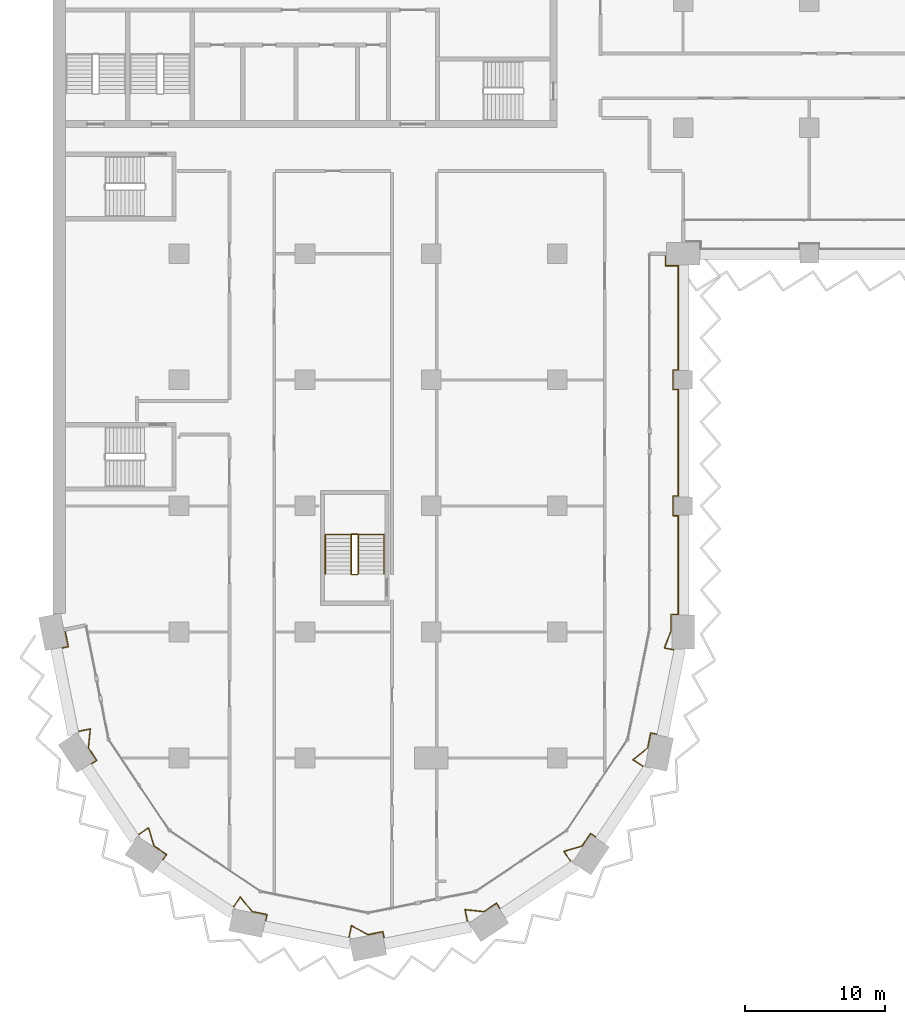
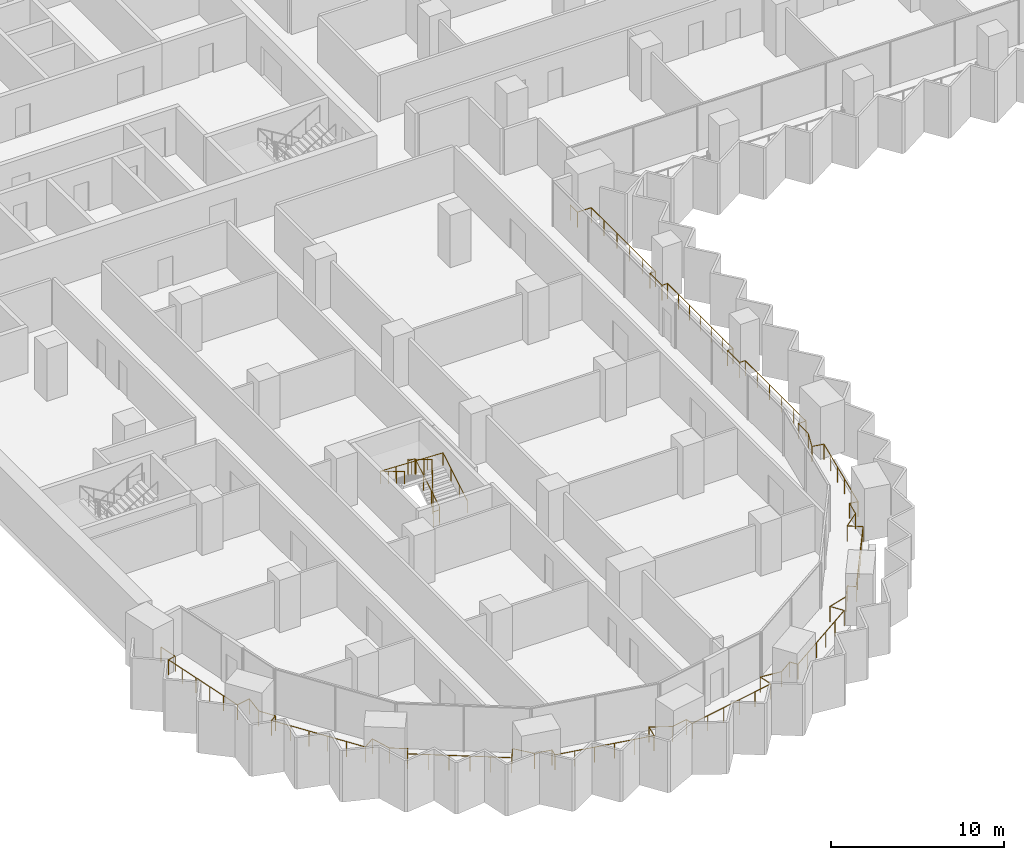
# One storey, part 24 of 28: 3 railings.
"""IFC4 building model written with IfcOpenShell, lengths in metres."""

from ifc_helpers import new_model, si_unit, direction, frame, origin, origin_2d, place, context, subcontext, project, spatial, circle, extrude, material, type_object, element, save


model = new_model("IFC4")

# Units and contexts
model_context = context("Model", 3, precision=1e-05, world=origin(), true_north=direction((0.0, 1.0)))
body_context = subcontext(model_context, "Body", "Model", "MODEL_VIEW")
ifc_project = project(units=[si_unit("LENGTHUNIT", "METRE"), si_unit("AREAUNIT", "SQUARE_METRE"), si_unit("VOLUMEUNIT", "CUBIC_METRE"), si_unit("PLANEANGLEUNIT", "RADIAN"), si_unit("MASSUNIT", "GRAM", prefix="KILO")], contexts=[model_context])

# Site, building, storey
site_placement = place(None, origin())
site = spatial("IfcSite", under=ifc_project, at=site_placement, CompositionType="ELEMENT")
building_placement = place(site_placement, origin())
building = spatial("IfcBuilding", under=site, at=building_placement, Name="Hunhe Ridgeline Campus", CompositionType="ELEMENT")
storey_placement = place(building_placement, frame((0.0, 0.0, 76.5)))
storey = spatial("IfcBuildingStorey", under=building, at=storey_placement, Name="L18", CompositionType="ELEMENT", Elevation=76.5)

# Railings
ifc_material_1 = material(Name="Steel Q355", Category="steel")
railing_type_1 = type_object("IfcRailingType", Name="Loggia guard 1100 Steel Q355", PredefinedType="GUARDRAIL", material=ifc_material_1)
railing_1_placement = place(storey_placement, frame((0.853271484375, 27.169677734375, 0.0)))
element("IfcRailing", 1, at=railing_1_placement, inside=storey, type_object=railing_type_1, Name="Loggia guard 1", PredefinedType="GUARDRAIL", context=body_context, shape_type="SweptSolid", body=[
    extrude(circle(Radius=0.02392578125, at=origin_2d()), frame((0.0, 0.0, 1.076171875), z_axis=(0.195139364365, -0.980775523999, 0.0), x_axis=(0.980775523999, 0.195139364365, 0.0)), (0.0, 0.0, 1.0), 1.249755859375),
    extrude(circle(Radius=0.02392578125, at=origin_2d()), frame((0.243896484375, -1.225830078125, 1.076171875), z_axis=(-0.980742851189, -0.195303506986, 0.0), x_axis=(0.195303506986, -0.980742851189, 0.0)), (0.0, 0.0, 1.0), 0.52001953125),
    extrude(circle(Radius=0.02392578125, at=origin_2d()), frame((-0.26611328125, -1.327392578125, 1.076171875), z_axis=(0.195094074844, -0.980784533912, 0.0), x_axis=(0.980784533912, 0.195094074844, 0.0)), (0.0, 0.0, 1.0), 6.064208984375),
    extrude(circle(Radius=0.02392578125, at=origin_2d()), frame((0.9169921875, -7.275146484375, 1.076171875), z_axis=(0.980774480174, 0.195144610585, 0.0), x_axis=(-0.195144610585, 0.980774480174, 0.0)), (0.0, 0.0, 1.0), 0.918212890625),
    extrude(circle(Radius=0.02392578125, at=origin_2d()), frame((1.817626953125, -7.095947265625, 1.076171875), z_axis=(-0.102578746514, -0.994724886973, 0.0), x_axis=(0.994724886973, -0.102578746514, 0.0)), (0.0, 0.0, 1.0), 1.351806640625),
    extrude(circle(Radius=0.02392578125, at=origin_2d()), frame((1.678955078125, -8.440673828125, 1.076171875), z_axis=(0.555693885997, -0.831386976724, 0.0), x_axis=(0.831386976724, 0.555693885997, 0.0)), (0.0, 0.0, 1.0), 1.076904296875),
    extrude(circle(Radius=0.02392578125, at=origin_2d()), frame((2.27734375, -9.3359375, 1.076171875), z_axis=(-0.831327417949, -0.555782982977, 0.0), x_axis=(0.555782982977, -0.831327417949, 0.0)), (0.0, 0.0, 1.0), 0.52001953125),
    extrude(circle(Radius=0.02392578125, at=origin_2d()), frame((1.844970703125, -9.625, 1.076171875), z_axis=(0.55557319973, -0.831467630002, 0.0), x_axis=(0.831467630002, 0.55557319973, 0.0)), (0.0, 0.0, 1.0), 6.064208984375),
    extrude(circle(Radius=0.02392578125, at=origin_2d()), frame((5.214111328125, -14.667236328125, 1.076171875), z_axis=(0.831395250422, 0.555681507318, 0.0), x_axis=(-0.555681507318, 0.831395250422, 0.0)), (0.0, 0.0, 1.0), 0.918212890625),
    extrude(circle(Radius=0.02392578125, at=origin_2d()), frame((5.9775390625, -14.156982421875, 1.076171875), z_axis=(0.285889499126, -0.958262591511, 0.0), x_axis=(0.958262591511, 0.285889499126, 0.0)), (0.0, 0.0, 1.0), 1.351806640625),
    extrude(circle(Radius=0.02392578125, at=origin_2d()), frame((6.364013671875, -15.452392578125, 1.076171875), z_axis=(0.831456967492, -0.555589156849, 0.0), x_axis=(0.555589156849, 0.831456967492, 0.0)), (0.0, 0.0, 1.0), 1.0771484375),
    extrude(circle(Radius=0.02392578125, at=origin_2d()), frame((7.259521484375, -16.05078125, 1.076171875), z_axis=(-0.555675381322, -0.831399344835, 0.0), x_axis=(0.831399344835, -0.555675381322, 0.0)), (0.0, 0.0, 1.0), 0.519775390625),
    extrude(circle(Radius=0.02392578125, at=origin_2d()), frame((6.970703125, -16.48291015625, 1.076171875), z_axis=(0.831467630002, -0.55557319973, 0.0), x_axis=(0.55557319973, 0.831467630002, 0.0)), (0.0, 0.0, 1.0), 6.064208984375),
    extrude(circle(Radius=0.02392578125, at=origin_2d()), frame((12.012939453125, -19.85205078125, 1.076171875), z_axis=(0.555497688072, 0.831518080709, 0.0), x_axis=(-0.831518080709, 0.555497688072, 0.0)), (0.0, 0.0, 1.0), 0.918212890625),
    extrude(circle(Radius=0.02392578125, at=origin_2d()), frame((12.52294921875, -19.088623046875, 1.076171875), z_axis=(0.630864561128, -0.775892972976, 0.0), x_axis=(0.775892972976, 0.630864561128, 0.0)), (0.0, 0.0, 1.0), 1.351806640625),
    extrude(circle(Radius=0.02392578125, at=origin_2d()), frame((13.375732421875, -20.137451171875, 1.076171875), z_axis=(0.980771998786, -0.195157081339, 0.0), x_axis=(0.195157081339, 0.980771998786, 0.0)), (0.0, 0.0, 1.0), 1.0771484375),
    extrude(circle(Radius=0.02392578125, at=origin_2d()), frame((14.43212890625, -20.34765625, 1.076171875), z_axis=(-0.195303506986, -0.980742851189, 0.0), x_axis=(0.980742851189, -0.195303506986, 0.0)), (0.0, 0.0, 1.0), 0.52001953125),
    extrude(circle(Radius=0.02392578125, at=origin_2d()), frame((14.33056640625, -20.857666015625, 1.076171875), z_axis=(0.980792236535, -0.195055347919, 0.0), x_axis=(0.195055347919, 0.980792236535, 0.0)), (0.0, 0.0, 1.0), 6.064208984375),
    extrude(circle(Radius=0.02392578125, at=origin_2d()), frame((20.2783203125, -22.04052734375, 1.076171875), z_axis=(0.195144610585, 0.980774480174, 0.0), x_axis=(-0.980774480174, 0.195144610585, 0.0)), (0.0, 0.0, 1.0), 0.918212890625),
    extrude(circle(Radius=0.02392578125, at=origin_2d()), frame((20.45751953125, -21.139892578125, 1.076171875), z_axis=(0.879704471732, -0.475520811757, 0.0), x_axis=(0.475520811757, 0.879704471732, 0.0)), (0.0, 0.0, 1.0), 1.351806640625),
    extrude(circle(Radius=0.02392578125, at=origin_2d()), frame((21.646728515625, -21.78271484375, 1.076171875), z_axis=(0.980763363144, 0.195200475189, 0.0), x_axis=(-0.195200475189, 0.980763363144, 0.0)), (0.0, 0.0, 1.0), 1.076904296875),
    extrude(circle(Radius=0.02392578125, at=origin_2d()), frame((22.702880859375, -21.572509765625, 1.076171875), z_axis=(0.195303506986, -0.980742851189, 0.0), x_axis=(0.980742851189, 0.195303506986, 0.0)), (0.0, 0.0, 1.0), 0.52001953125),
    extrude(circle(Radius=0.02392578125, at=origin_2d()), frame((22.804443359375, -22.08251953125, 1.076171875), z_axis=(0.980784533912, 0.195094074844, 0.0), x_axis=(-0.195094074844, 0.980784533912, 0.0)), (0.0, 0.0, 1.0), 6.064208984375),
    extrude(circle(Radius=0.02392578125, at=origin_2d()), frame((28.752197265625, -20.8994140625, 1.076171875), z_axis=(-0.195144610585, 0.980774480174, 0.0), x_axis=(-0.980774480174, -0.195144610585, 0.0)), (0.0, 0.0, 1.0), 0.918212890625),
    extrude(circle(Radius=0.02392578125, at=origin_2d()), frame((28.572998046875, -19.998779296875, 1.076171875), z_axis=(0.994724886973, -0.102578746514, 0.0), x_axis=(0.102578746514, 0.994724886973, 0.0)), (0.0, 0.0, 1.0), 1.351806640625),
    extrude(circle(Radius=0.02392578125, at=origin_2d()), frame((29.917724609375, -20.137451171875, 1.076171875), z_axis=(0.831386976724, 0.555693885997, 0.0), x_axis=(-0.555693885997, 0.831386976724, 0.0)), (0.0, 0.0, 1.0), 1.076904296875),
    extrude(circle(Radius=0.02392578125, at=origin_2d()), frame((30.81298828125, -19.5390625, 1.076171875), z_axis=(0.555782982977, -0.831327417949, 0.0), x_axis=(0.831327417949, 0.555782982977, 0.0)), (0.0, 0.0, 1.0), 0.52001953125),
    extrude(circle(Radius=0.02392578125, at=origin_2d()), frame((31.10205078125, -19.971435546875, 1.076171875), z_axis=(0.831467630002, 0.55557319973, 0.0), x_axis=(-0.55557319973, 0.831467630002, 0.0)), (0.0, 0.0, 1.0), 6.064208984375),
    extrude(circle(Radius=0.02392578125, at=origin_2d()), frame((36.144287109375, -16.602294921875, 1.076171875), z_axis=(-0.555681507318, 0.831395250422, 0.0), x_axis=(-0.831395250422, -0.555681507318, 0.0)), (0.0, 0.0, 1.0), 0.918212890625),
    extrude(circle(Radius=0.02392578125, at=origin_2d()), frame((35.634033203125, -15.8388671875, 1.076171875), z_axis=(0.958262591511, 0.285889499126, 0.0), x_axis=(-0.285889499126, 0.958262591511, 0.0)), (0.0, 0.0, 1.0), 1.351806640625),
    extrude(circle(Radius=0.02392578125, at=origin_2d()), frame((36.929443359375, -15.452392578125, 1.076171875), z_axis=(0.555589156849, 0.831456967492, 0.0), x_axis=(-0.831456967492, 0.555589156849, 0.0)), (0.0, 0.0, 1.0), 1.0771484375),
    extrude(circle(Radius=0.02392578125, at=origin_2d()), frame((37.52783203125, -14.556884765625, 1.076171875), z_axis=(0.831399344835, -0.555675381322, 0.0), x_axis=(0.555675381322, 0.831399344835, 0.0)), (0.0, 0.0, 1.0), 0.519775390625),
    extrude(circle(Radius=0.02392578125, at=origin_2d()), frame((37.9599609375, -14.845703125, 1.076171875), z_axis=(0.55557319973, 0.831467630002, 0.0), x_axis=(-0.831467630002, 0.55557319973, 0.0)), (0.0, 0.0, 1.0), 6.064208984375),
    extrude(circle(Radius=0.02392578125, at=origin_2d()), frame((41.3291015625, -9.803466796875, 1.076171875), z_axis=(-0.831518080709, 0.555497688072, 0.0), x_axis=(-0.555497688072, -0.831518080709, 0.0)), (0.0, 0.0, 1.0), 0.918212890625),
    extrude(circle(Radius=0.02392578125, at=origin_2d()), frame((40.565673828125, -9.29345703125, 1.076171875), z_axis=(0.775892972976, 0.630864561128, 0.0), x_axis=(-0.630864561128, 0.775892972976, 0.0)), (0.0, 0.0, 1.0), 1.351806640625),
    extrude(circle(Radius=0.02392578125, at=origin_2d()), frame((41.614501953125, -8.440673828125, 1.076171875), z_axis=(0.195157081339, 0.980771998786, 0.0), x_axis=(-0.980771998786, 0.195157081339, 0.0)), (0.0, 0.0, 1.0), 1.0771484375),
    extrude(circle(Radius=0.02392578125, at=origin_2d()), frame((41.82470703125, -7.38427734375, 1.076171875), z_axis=(0.980742851189, -0.195303506986, 0.0), x_axis=(0.195303506986, 0.980742851189, 0.0)), (0.0, 0.0, 1.0), 0.52001953125),
    extrude(circle(Radius=0.02392578125, at=origin_2d()), frame((42.334716796875, -7.48583984375, 1.076171875), z_axis=(0.19507712928, 0.980787904509, 0.0), x_axis=(-0.980787904509, 0.19507712928, 0.0)), (0.0, 0.0, 1.0), 6.146240234375),
    extrude(circle(Radius=0.02392578125, at=origin_2d()), frame((43.53369140625, -1.457763671875, 1.076171875), z_axis=(-0.980808789294, 0.194972097602, 0.0), x_axis=(-0.194972097602, -0.980808789294, 0.0)), (0.0, 0.0, 1.0), 0.73876953125),
    extrude(circle(Radius=0.02392578125, at=origin_2d()), frame((42.80908203125, -1.313720703125, 1.076171875), z_axis=(0.35537018301, 0.93472564586, 0.0), x_axis=(-0.93472564586, 0.35537018301, 0.0)), (0.0, 0.0, 1.0), 1.315673828125),
    extrude(circle(Radius=0.02392578125, at=origin_2d()), frame((43.276611328125, -0.083984375, 1.076171875), z_axis=(0.0, 1.0, 0.0), x_axis=(-1.0, 0.0, 0.0)), (0.0, 0.0, 1.0), 1.164306640625),
    extrude(circle(Radius=0.02392578125, at=origin_2d()), frame((43.276611328125, 1.080322265625, 1.076171875), z_axis=(1.0, 0.0, 0.0), x_axis=(0.0, 1.0, 0.0)), (0.0, 0.0, 1.0), 0.52001953125),
    extrude(circle(Radius=0.02392578125, at=origin_2d()), frame((43.796630859375, 1.080322265625, 1.076171875), z_axis=(0.0, 1.0, 0.0), x_axis=(-1.0, 0.0, 0.0)), (0.0, 0.0, 1.0), 7.050048828125),
    extrude(circle(Radius=0.02392578125, at=origin_2d()), frame((43.796630859375, 8.13037109375, 1.076171875), z_axis=(-1.0, 0.0, 0.0), x_axis=(0.0, -1.0, 0.0)), (0.0, 0.0, 1.0), 0.369873046875),
    extrude(circle(Radius=0.02392578125, at=origin_2d()), frame((43.4267578125, 8.13037109375, 1.076171875), z_axis=(0.0, 1.0, 0.0), x_axis=(-1.0, 0.0, 0.0)), (0.0, 0.0, 1.0), 1.39990234375),
    extrude(circle(Radius=0.02392578125, at=origin_2d()), frame((43.4267578125, 9.5302734375, 1.076171875), z_axis=(1.0, 0.0, 0.0), x_axis=(0.0, 1.0, 0.0)), (0.0, 0.0, 1.0), 0.369873046875),
    extrude(circle(Radius=0.02392578125, at=origin_2d()), frame((43.796630859375, 9.5302734375, 1.076171875), z_axis=(0.0, 1.0, 0.0), x_axis=(-1.0, 0.0, 0.0)), (0.0, 0.0, 1.0), 7.60009765625),
    extrude(circle(Radius=0.02392578125, at=origin_2d()), frame((43.796630859375, 17.13037109375, 1.076171875), z_axis=(-1.0, 0.0, 0.0), x_axis=(0.0, -1.0, 0.0)), (0.0, 0.0, 1.0), 0.369873046875),
    extrude(circle(Radius=0.02392578125, at=origin_2d()), frame((43.4267578125, 17.13037109375, 1.076171875), z_axis=(0.0, 1.0, 0.0), x_axis=(-1.0, 0.0, 0.0)), (0.0, 0.0, 1.0), 1.39990234375),
    extrude(circle(Radius=0.02392578125, at=origin_2d()), frame((43.4267578125, 18.5302734375, 1.076171875), z_axis=(1.0, 0.0, 0.0), x_axis=(0.0, 1.0, 0.0)), (0.0, 0.0, 1.0), 0.369873046875),
    extrude(circle(Radius=0.02392578125, at=origin_2d()), frame((43.796630859375, 18.5302734375, 1.076171875), z_axis=(0.0, 1.0, 0.0), x_axis=(-1.0, 0.0, 0.0)), (0.0, 0.0, 1.0), 7.449951171875),
    extrude(circle(Radius=0.02392578125, at=origin_2d()), frame((43.796630859375, 25.980224609375, 1.076171875), z_axis=(-1.0, 0.0, 0.0), x_axis=(0.0, -1.0, 0.0)), (0.0, 0.0, 1.0), 0.919921875),
    extrude(circle(Radius=0.02392578125, at=origin_2d()), frame((42.876708984375, 25.980224609375, 1.076171875), z_axis=(0.0, 1.0, 0.0), x_axis=(-1.0, 0.0, 0.0)), (0.0, 0.0, 1.0), 0.85009765625),
    extrude(circle(Radius=0.02099609375, at=origin_2d()), origin(), (0.0, 0.0, 1.0), 1.052001953125),
    extrude(circle(Radius=0.02099609375, at=origin_2d()), frame((0.243896484375, -1.225830078125, 0.0)), (0.0, 0.0, 1.0), 1.052001953125),
    extrude(circle(Radius=0.02099609375, at=origin_2d()), frame((-0.26611328125, -1.327392578125, 0.0)), (0.0, 0.0, 1.0), 1.052001953125),
    extrude(circle(Radius=0.02099609375, at=origin_2d()), frame((-0.029541015625, -2.516845703125, 0.0)), (0.0, 0.0, 1.0), 1.052001953125),
    extrude(circle(Radius=0.02099609375, at=origin_2d()), frame((0.20703125, -3.70654296875, 0.0)), (0.0, 0.0, 1.0), 1.052001953125),
    extrude(circle(Radius=0.02099609375, at=origin_2d()), frame((0.44384765625, -4.89599609375, 0.0)), (0.0, 0.0, 1.0), 1.052001953125),
    extrude(circle(Radius=0.02099609375, at=origin_2d()), frame((0.680419921875, -6.085693359375, 0.0)), (0.0, 0.0, 1.0), 1.052001953125),
    extrude(circle(Radius=0.02099609375, at=origin_2d()), frame((0.9169921875, -7.275146484375, 0.0)), (0.0, 0.0, 1.0), 1.052001953125),
    extrude(circle(Radius=0.02099609375, at=origin_2d()), frame((1.817626953125, -7.095947265625, 0.0)), (0.0, 0.0, 1.0), 1.052001953125),
    extrude(circle(Radius=0.02099609375, at=origin_2d()), frame((1.678955078125, -8.440673828125, 0.0)), (0.0, 0.0, 1.0), 1.052001953125),
    extrude(circle(Radius=0.02099609375, at=origin_2d()), frame((2.27734375, -9.3359375, 0.0)), (0.0, 0.0, 1.0), 1.052001953125),
    extrude(circle(Radius=0.02099609375, at=origin_2d()), frame((1.844970703125, -9.625, 0.0)), (0.0, 0.0, 1.0), 1.052001953125),
    extrude(circle(Radius=0.02099609375, at=origin_2d()), frame((2.518798828125, -10.633544921875, 0.0)), (0.0, 0.0, 1.0), 1.052001953125),
    extrude(circle(Radius=0.02099609375, at=origin_2d()), frame((3.192626953125, -11.641845703125, 0.0)), (0.0, 0.0, 1.0), 1.052001953125),
    extrude(circle(Radius=0.02099609375, at=origin_2d()), frame((3.866455078125, -12.650390625, 0.0)), (0.0, 0.0, 1.0), 1.052001953125),
    extrude(circle(Radius=0.02099609375, at=origin_2d()), frame((4.540283203125, -13.65869140625, 0.0)), (0.0, 0.0, 1.0), 1.052001953125),
    extrude(circle(Radius=0.02099609375, at=origin_2d()), frame((5.214111328125, -14.667236328125, 0.0)), (0.0, 0.0, 1.0), 1.052001953125),
    extrude(circle(Radius=0.02099609375, at=origin_2d()), frame((5.9775390625, -14.156982421875, 0.0)), (0.0, 0.0, 1.0), 1.052001953125),
    extrude(circle(Radius=0.02099609375, at=origin_2d()), frame((6.364013671875, -15.452392578125, 0.0)), (0.0, 0.0, 1.0), 1.052001953125),
    extrude(circle(Radius=0.02099609375, at=origin_2d()), frame((7.259521484375, -16.05078125, 0.0)), (0.0, 0.0, 1.0), 1.052001953125),
    extrude(circle(Radius=0.02099609375, at=origin_2d()), frame((6.970703125, -16.48291015625, 0.0)), (0.0, 0.0, 1.0), 1.052001953125),
    extrude(circle(Radius=0.02099609375, at=origin_2d()), frame((7.979248046875, -17.15673828125, 0.0)), (0.0, 0.0, 1.0), 1.052001953125),
    extrude(circle(Radius=0.02099609375, at=origin_2d()), frame((8.987548828125, -17.83056640625, 0.0)), (0.0, 0.0, 1.0), 1.052001953125),
    extrude(circle(Radius=0.02099609375, at=origin_2d()), frame((9.99609375, -18.50439453125, 0.0)), (0.0, 0.0, 1.0), 1.052001953125),
    extrude(circle(Radius=0.02099609375, at=origin_2d()), frame((11.00439453125, -19.17822265625, 0.0)), (0.0, 0.0, 1.0), 1.052001953125),
    extrude(circle(Radius=0.02099609375, at=origin_2d()), frame((12.012939453125, -19.85205078125, 0.0)), (0.0, 0.0, 1.0), 1.052001953125),
    extrude(circle(Radius=0.02099609375, at=origin_2d()), frame((12.52294921875, -19.088623046875, 0.0)), (0.0, 0.0, 1.0), 1.052001953125),
    extrude(circle(Radius=0.02099609375, at=origin_2d()), frame((13.375732421875, -20.137451171875, 0.0)), (0.0, 0.0, 1.0), 1.052001953125),
    extrude(circle(Radius=0.02099609375, at=origin_2d()), frame((14.43212890625, -20.34765625, 0.0)), (0.0, 0.0, 1.0), 1.052001953125),
    extrude(circle(Radius=0.02099609375, at=origin_2d()), frame((14.33056640625, -20.857666015625, 0.0)), (0.0, 0.0, 1.0), 1.052001953125),
    extrude(circle(Radius=0.02099609375, at=origin_2d()), frame((15.52001953125, -21.09423828125, 0.0)), (0.0, 0.0, 1.0), 1.052001953125),
    extrude(circle(Radius=0.02099609375, at=origin_2d()), frame((16.709716796875, -21.330810546875, 0.0)), (0.0, 0.0, 1.0), 1.052001953125),
    extrude(circle(Radius=0.02099609375, at=origin_2d()), frame((17.899169921875, -21.5673828125, 0.0)), (0.0, 0.0, 1.0), 1.052001953125),
    extrude(circle(Radius=0.02099609375, at=origin_2d()), frame((19.0888671875, -21.803955078125, 0.0)), (0.0, 0.0, 1.0), 1.052001953125),
    extrude(circle(Radius=0.02099609375, at=origin_2d()), frame((20.2783203125, -22.04052734375, 0.0)), (0.0, 0.0, 1.0), 1.052001953125),
    extrude(circle(Radius=0.02099609375, at=origin_2d()), frame((20.45751953125, -21.139892578125, 0.0)), (0.0, 0.0, 1.0), 1.052001953125),
    extrude(circle(Radius=0.02099609375, at=origin_2d()), frame((21.646728515625, -21.78271484375, 0.0)), (0.0, 0.0, 1.0), 1.052001953125),
    extrude(circle(Radius=0.02099609375, at=origin_2d()), frame((22.702880859375, -21.572509765625, 0.0)), (0.0, 0.0, 1.0), 1.052001953125),
    extrude(circle(Radius=0.02099609375, at=origin_2d()), frame((22.804443359375, -22.08251953125, 0.0)), (0.0, 0.0, 1.0), 1.052001953125),
    extrude(circle(Radius=0.02099609375, at=origin_2d()), frame((23.993896484375, -21.845947265625, 0.0)), (0.0, 0.0, 1.0), 1.052001953125),
    extrude(circle(Radius=0.02099609375, at=origin_2d()), frame((25.18359375, -21.609375, 0.0)), (0.0, 0.0, 1.0), 1.052001953125),
    extrude(circle(Radius=0.02099609375, at=origin_2d()), frame((26.373046875, -21.37255859375, 0.0)), (0.0, 0.0, 1.0), 1.052001953125),
    extrude(circle(Radius=0.02099609375, at=origin_2d()), frame((27.562744140625, -21.135986328125, 0.0)), (0.0, 0.0, 1.0), 1.052001953125),
    extrude(circle(Radius=0.02099609375, at=origin_2d()), frame((28.752197265625, -20.8994140625, 0.0)), (0.0, 0.0, 1.0), 1.052001953125),
    extrude(circle(Radius=0.02099609375, at=origin_2d()), frame((28.572998046875, -19.998779296875, 0.0)), (0.0, 0.0, 1.0), 1.052001953125),
    extrude(circle(Radius=0.02099609375, at=origin_2d()), frame((29.917724609375, -20.137451171875, 0.0)), (0.0, 0.0, 1.0), 1.052001953125),
    extrude(circle(Radius=0.02099609375, at=origin_2d()), frame((30.81298828125, -19.5390625, 0.0)), (0.0, 0.0, 1.0), 1.052001953125),
    extrude(circle(Radius=0.02099609375, at=origin_2d()), frame((31.10205078125, -19.971435546875, 0.0)), (0.0, 0.0, 1.0), 1.052001953125),
    extrude(circle(Radius=0.02099609375, at=origin_2d()), frame((32.110595703125, -19.297607421875, 0.0)), (0.0, 0.0, 1.0), 1.052001953125),
    extrude(circle(Radius=0.02099609375, at=origin_2d()), frame((33.118896484375, -18.623779296875, 0.0)), (0.0, 0.0, 1.0), 1.052001953125),
    extrude(circle(Radius=0.02099609375, at=origin_2d()), frame((34.12744140625, -17.949951171875, 0.0)), (0.0, 0.0, 1.0), 1.052001953125),
    extrude(circle(Radius=0.02099609375, at=origin_2d()), frame((35.1357421875, -17.276123046875, 0.0)), (0.0, 0.0, 1.0), 1.052001953125),
    extrude(circle(Radius=0.02099609375, at=origin_2d()), frame((36.144287109375, -16.602294921875, 0.0)), (0.0, 0.0, 1.0), 1.052001953125),
    extrude(circle(Radius=0.02099609375, at=origin_2d()), frame((35.634033203125, -15.8388671875, 0.0)), (0.0, 0.0, 1.0), 1.052001953125),
    extrude(circle(Radius=0.02099609375, at=origin_2d()), frame((36.929443359375, -15.452392578125, 0.0)), (0.0, 0.0, 1.0), 1.052001953125),
    extrude(circle(Radius=0.02099609375, at=origin_2d()), frame((37.52783203125, -14.556884765625, 0.0)), (0.0, 0.0, 1.0), 1.052001953125),
    extrude(circle(Radius=0.02099609375, at=origin_2d()), frame((37.9599609375, -14.845703125, 0.0)), (0.0, 0.0, 1.0), 1.052001953125),
    extrude(circle(Radius=0.02099609375, at=origin_2d()), frame((38.6337890625, -13.837158203125, 0.0)), (0.0, 0.0, 1.0), 1.052001953125),
    extrude(circle(Radius=0.02099609375, at=origin_2d()), frame((39.3076171875, -12.828857421875, 0.0)), (0.0, 0.0, 1.0), 1.052001953125),
    extrude(circle(Radius=0.02099609375, at=origin_2d()), frame((39.9814453125, -11.8203125, 0.0)), (0.0, 0.0, 1.0), 1.052001953125),
    extrude(circle(Radius=0.02099609375, at=origin_2d()), frame((40.6552734375, -10.81201171875, 0.0)), (0.0, 0.0, 1.0), 1.052001953125),
    extrude(circle(Radius=0.02099609375, at=origin_2d()), frame((41.3291015625, -9.803466796875, 0.0)), (0.0, 0.0, 1.0), 1.052001953125),
    extrude(circle(Radius=0.02099609375, at=origin_2d()), frame((40.565673828125, -9.29345703125, 0.0)), (0.0, 0.0, 1.0), 1.052001953125),
    extrude(circle(Radius=0.02099609375, at=origin_2d()), frame((41.614501953125, -8.440673828125, 0.0)), (0.0, 0.0, 1.0), 1.052001953125),
    extrude(circle(Radius=0.02099609375, at=origin_2d()), frame((41.82470703125, -7.38427734375, 0.0)), (0.0, 0.0, 1.0), 1.052001953125),
    extrude(circle(Radius=0.02099609375, at=origin_2d()), frame((42.334716796875, -7.48583984375, 0.0)), (0.0, 0.0, 1.0), 1.052001953125),
    extrude(circle(Radius=0.02099609375, at=origin_2d()), frame((42.574462890625, -6.2802734375, 0.0)), (0.0, 0.0, 1.0), 1.052001953125),
    extrude(circle(Radius=0.02099609375, at=origin_2d()), frame((42.814208984375, -5.07470703125, 0.0)), (0.0, 0.0, 1.0), 1.052001953125),
    extrude(circle(Radius=0.02099609375, at=origin_2d()), frame((43.05419921875, -3.868896484375, 0.0)), (0.0, 0.0, 1.0), 1.052001953125),
    extrude(circle(Radius=0.02099609375, at=origin_2d()), frame((43.2939453125, -2.663330078125, 0.0)), (0.0, 0.0, 1.0), 1.052001953125),
    extrude(circle(Radius=0.02099609375, at=origin_2d()), frame((43.53369140625, -1.457763671875, 0.0)), (0.0, 0.0, 1.0), 1.052001953125),
    extrude(circle(Radius=0.02099609375, at=origin_2d()), frame((42.80908203125, -1.313720703125, 0.0)), (0.0, 0.0, 1.0), 1.052001953125),
    extrude(circle(Radius=0.02099609375, at=origin_2d()), frame((43.276611328125, -0.083984375, 0.0)), (0.0, 0.0, 1.0), 1.052001953125),
    extrude(circle(Radius=0.02099609375, at=origin_2d()), frame((43.276611328125, 1.080322265625, 0.0)), (0.0, 0.0, 1.0), 1.052001953125),
    extrude(circle(Radius=0.02099609375, at=origin_2d()), frame((43.796630859375, 1.080322265625, 0.0)), (0.0, 0.0, 1.0), 1.052001953125),
    extrude(circle(Radius=0.02099609375, at=origin_2d()), frame((43.796630859375, 2.490234375, 0.0)), (0.0, 0.0, 1.0), 1.052001953125),
    extrude(circle(Radius=0.02099609375, at=origin_2d()), frame((43.796630859375, 3.900390625, 0.0)), (0.0, 0.0, 1.0), 1.052001953125),
    extrude(circle(Radius=0.02099609375, at=origin_2d()), frame((43.796630859375, 5.310302734375, 0.0)), (0.0, 0.0, 1.0), 1.052001953125),
    extrude(circle(Radius=0.02099609375, at=origin_2d()), frame((43.796630859375, 6.720458984375, 0.0)), (0.0, 0.0, 1.0), 1.052001953125),
    extrude(circle(Radius=0.02099609375, at=origin_2d()), frame((43.796630859375, 8.13037109375, 0.0)), (0.0, 0.0, 1.0), 1.052001953125),
    extrude(circle(Radius=0.02099609375, at=origin_2d()), frame((43.4267578125, 8.13037109375, 0.0)), (0.0, 0.0, 1.0), 1.052001953125),
    extrude(circle(Radius=0.02099609375, at=origin_2d()), frame((43.4267578125, 9.5302734375, 0.0)), (0.0, 0.0, 1.0), 1.052001953125),
    extrude(circle(Radius=0.02099609375, at=origin_2d()), frame((43.796630859375, 9.5302734375, 0.0)), (0.0, 0.0, 1.0), 1.052001953125),
    extrude(circle(Radius=0.02099609375, at=origin_2d()), frame((43.796630859375, 10.796875, 0.0)), (0.0, 0.0, 1.0), 1.052001953125),
    extrude(circle(Radius=0.02099609375, at=origin_2d()), frame((43.796630859375, 12.063720703125, 0.0)), (0.0, 0.0, 1.0), 1.052001953125),
    extrude(circle(Radius=0.02099609375, at=origin_2d()), frame((43.796630859375, 13.330322265625, 0.0)), (0.0, 0.0, 1.0), 1.052001953125),
    extrude(circle(Radius=0.02099609375, at=origin_2d()), frame((43.796630859375, 14.596923828125, 0.0)), (0.0, 0.0, 1.0), 1.052001953125),
    extrude(circle(Radius=0.02099609375, at=origin_2d()), frame((43.796630859375, 15.86376953125, 0.0)), (0.0, 0.0, 1.0), 1.052001953125),
    extrude(circle(Radius=0.02099609375, at=origin_2d()), frame((43.796630859375, 17.13037109375, 0.0)), (0.0, 0.0, 1.0), 1.052001953125),
    extrude(circle(Radius=0.02099609375, at=origin_2d()), frame((43.4267578125, 17.13037109375, 0.0)), (0.0, 0.0, 1.0), 1.052001953125),
    extrude(circle(Radius=0.02099609375, at=origin_2d()), frame((43.4267578125, 18.5302734375, 0.0)), (0.0, 0.0, 1.0), 1.052001953125),
    extrude(circle(Radius=0.02099609375, at=origin_2d()), frame((43.796630859375, 18.5302734375, 0.0)), (0.0, 0.0, 1.0), 1.052001953125),
    extrude(circle(Radius=0.02099609375, at=origin_2d()), frame((43.796630859375, 20.020263671875, 0.0)), (0.0, 0.0, 1.0), 1.052001953125),
    extrude(circle(Radius=0.02099609375, at=origin_2d()), frame((43.796630859375, 21.51025390625, 0.0)), (0.0, 0.0, 1.0), 1.052001953125),
    extrude(circle(Radius=0.02099609375, at=origin_2d()), frame((43.796630859375, 23.000244140625, 0.0)), (0.0, 0.0, 1.0), 1.052001953125),
    extrude(circle(Radius=0.02099609375, at=origin_2d()), frame((43.796630859375, 24.490234375, 0.0)), (0.0, 0.0, 1.0), 1.052001953125),
    extrude(circle(Radius=0.02099609375, at=origin_2d()), frame((43.796630859375, 25.980224609375, 0.0)), (0.0, 0.0, 1.0), 1.052001953125),
    extrude(circle(Radius=0.02099609375, at=origin_2d()), frame((42.876708984375, 25.980224609375, 0.0)), (0.0, 0.0, 1.0), 1.052001953125),
    extrude(circle(Radius=0.02099609375, at=origin_2d()), frame((42.876708984375, 26.830322265625, 0.0)), (0.0, 0.0, 1.0), 1.052001953125),
])
ifc_material_2 = material(Name="Stainless steel balustrade", Category="steel")
railing_type_2 = type_object("IfcRailingType", Name="Stair guard 1100 stainless", PredefinedType="GUARDRAIL", material=ifc_material_2)
railing_2_placement = place(storey_placement, frame((21.800048828125, 31.14990234375, 0.168212890625)))
element("IfcRailing", 2, at=railing_2_placement, inside=storey, type_object=railing_type_2, Name="L18 stair W3 guard", PredefinedType="GUARDRAIL", context=body_context, shape_type="SweptSolid", body=[
    extrude(circle(Radius=0.02392578125, at=origin_2d()), frame((0.0, 0.0, 1.076171875), z_axis=(0.0, 0.857242210791, 0.514913383045), x_axis=(-1.0, 0.0, 0.0)), (0.0, 0.0, 1.0), 3.266357421875),
    extrude(circle(Radius=0.02392578125, at=origin_2d()), frame((0.0, 2.800048828125, 2.7578125), z_axis=(-0.707106781187, 0.707106781187, 0.0), x_axis=(-0.707106781187, -0.707106781187, 0.0)), (0.0, 0.0, 1.0), 0.07080078125),
    extrude(circle(Radius=0.02392578125, at=origin_2d()), frame((-0.050048828125, 2.85009765625, 2.7578125), z_axis=(-1.0, 0.0, 0.0), x_axis=(0.0, -1.0, 0.0)), (0.0, 0.0, 1.0), 0.39990234375),
    extrude(circle(Radius=0.02392578125, at=origin_2d()), frame((-0.449951171875, 2.85009765625, 2.7578125), z_axis=(-0.274582412415, -0.274582412415, 0.921525364591), x_axis=(0.707106781187, -0.707106781187, 0.0)), (0.0, 0.0, 1.0), 0.182373046875),
    extrude(circle(Radius=0.02392578125, at=origin_2d()), frame((-0.5, 2.800048828125, 2.92578125), z_axis=(0.0, -0.857242210791, 0.514913383045), x_axis=(1.0, 0.0, 0.0)), (0.0, 0.0, 1.0), 3.266357421875),
    extrude(circle(Radius=0.02392578125, at=origin_2d()), frame((-0.5, 0.0, 4.60791015625), z_axis=(0.013524426427, -0.013458453615, -0.999817963389), x_axis=(0.705375805398, 0.708833529934, 0.0)), (0.0, 0.0, 1.0), 3.70068359375),
    extrude(circle(Radius=0.02392578125, at=origin_2d()), frame((-0.449951171875, -0.0498046875, 0.90771484375), z_axis=(1.0, 0.0, 0.0), x_axis=(0.0, 1.0, 0.0)), (0.0, 0.0, 1.0), 0.39990234375),
    extrude(circle(Radius=0.02099609375, at=origin_2d()), origin(), (0.0, 0.0, 1.0), 1.052001953125),
    extrude(circle(Radius=0.02099609375, at=origin_2d()), frame((0.0, 0.933349609375, 0.560546875)), (0.0, 0.0, 1.0), 1.052001953125),
    extrude(circle(Radius=0.02099609375, at=origin_2d()), frame((0.0, 1.86669921875, 1.121337890625)), (0.0, 0.0, 1.0), 1.052001953125),
    extrude(circle(Radius=0.02099609375, at=origin_2d()), frame((0.0, 2.800048828125, 1.681884765625)), (0.0, 0.0, 1.0), 1.052001953125),
    extrude(circle(Radius=0.02099609375, at=origin_2d()), frame((-0.050048828125, 2.85009765625, 1.681884765625)), (0.0, 0.0, 1.0), 1.052001953125),
    extrude(circle(Radius=0.02099609375, at=origin_2d()), frame((-0.449951171875, 2.85009765625, 1.681884765625)), (0.0, 0.0, 1.0), 1.052001953125),
    extrude(circle(Radius=0.02099609375, at=origin_2d()), frame((-0.5, 2.800048828125, 1.849853515625)), (0.0, 0.0, 1.0), 1.052001953125),
    extrude(circle(Radius=0.02099609375, at=origin_2d()), frame((-0.5, 1.86669921875, 2.410400390625)), (0.0, 0.0, 1.0), 1.052001953125),
    extrude(circle(Radius=0.02099609375, at=origin_2d()), frame((-0.5, 0.933349609375, 2.97119140625)), (0.0, 0.0, 1.0), 1.052001953125),
    extrude(circle(Radius=0.02099609375, at=origin_2d()), frame((-0.5, 0.0, 3.53173828125)), (0.0, 0.0, 1.0), 1.052001953125),
    extrude(circle(Radius=0.02099609375, at=origin_2d()), frame((-0.487548828125, -0.012451171875, 2.606689453125)), (0.0, 0.0, 1.0), 1.052001953125),
    extrude(circle(Radius=0.02099609375, at=origin_2d()), frame((-0.47509765625, -0.02490234375, 1.681640625)), (0.0, 0.0, 1.0), 1.052001953125),
    extrude(circle(Radius=0.02099609375, at=origin_2d()), frame((-0.46240234375, -0.037353515625, 0.7568359375)), (0.0, 0.0, 1.0), 1.052001953125),
    extrude(circle(Radius=0.02099609375, at=origin_2d()), frame((-0.449951171875, -0.0498046875, -0.168212890625)), (0.0, 0.0, 1.0), 1.052001953125),
    extrude(circle(Radius=0.02099609375, at=origin_2d()), frame((-0.050048828125, -0.0498046875, -0.168212890625)), (0.0, 0.0, 1.0), 1.052001953125),
])
ifc_material_3 = material(Name="Stainless steel handrail", Category="steel")
railing_type_3 = type_object("IfcRailingType", Name="Stair handrail 900 stainless", PredefinedType="HANDRAIL", material=ifc_material_3)
railing_3_placement = place(storey_placement, frame((23.64990234375, 31.14990234375, 0.168212890625)))
element("IfcRailing", 3, at=railing_3_placement, inside=storey, type_object=railing_type_3, Name="L18 stair W3 handrail", PredefinedType="HANDRAIL", context=body_context, shape_type="SweptSolid", body=[
    extrude(circle(Radius=0.02392578125, at=origin_2d()), frame((0.0, 0.0, 0.8759765625), z_axis=(0.0, 0.857242210791, 0.514913383045), x_axis=(-1.0, 0.0, 0.0)), (0.0, 0.0, 1.0), 3.266357421875),
    extrude(circle(Radius=0.02392578125, at=origin_2d()), frame((0.0, 2.800048828125, 2.5576171875), z_axis=(-0.99920123705, 0.0, 0.039961079526), x_axis=(0.0, -1.0, 0.0)), (0.0, 0.0, 1.0), 4.203369140625),
    extrude(circle(Radius=0.02392578125, at=origin_2d()), frame((-4.199951171875, 2.800048828125, 2.7255859375), z_axis=(0.0, -0.857242210791, 0.514913383045), x_axis=(1.0, 0.0, 0.0)), (0.0, 0.0, 1.0), 3.266357421875),
    extrude(circle(Radius=0.02099609375, at=origin_2d()), origin(), (0.0, 0.0, 1.0), 0.851806640625),
    extrude(circle(Radius=0.02099609375, at=origin_2d()), frame((0.0, 0.933349609375, 0.560546875)), (0.0, 0.0, 1.0), 0.851806640625),
    extrude(circle(Radius=0.02099609375, at=origin_2d()), frame((0.0, 1.86669921875, 1.121337890625)), (0.0, 0.0, 1.0), 0.851806640625),
    extrude(circle(Radius=0.02099609375, at=origin_2d()), frame((0.0, 2.800048828125, 1.681884765625)), (0.0, 0.0, 1.0), 0.851806640625),
    extrude(circle(Radius=0.02099609375, at=origin_2d()), frame((-1.050048828125, 2.800048828125, 1.723876953125)), (0.0, 0.0, 1.0), 0.851806640625),
    extrude(circle(Radius=0.02099609375, at=origin_2d()), frame((-2.10009765625, 2.800048828125, 1.765869140625)), (0.0, 0.0, 1.0), 0.851806640625),
    extrude(circle(Radius=0.02099609375, at=origin_2d()), frame((-3.14990234375, 2.800048828125, 1.807861328125)), (0.0, 0.0, 1.0), 0.851806640625),
    extrude(circle(Radius=0.02099609375, at=origin_2d()), frame((-4.199951171875, 2.800048828125, 1.849853515625)), (0.0, 0.0, 1.0), 0.851806640625),
    extrude(circle(Radius=0.02099609375, at=origin_2d()), frame((-4.199951171875, 1.86669921875, 2.410400390625)), (0.0, 0.0, 1.0), 0.851806640625),
    extrude(circle(Radius=0.02099609375, at=origin_2d()), frame((-4.199951171875, 0.933349609375, 2.97119140625)), (0.0, 0.0, 1.0), 0.851806640625),
    extrude(circle(Radius=0.02099609375, at=origin_2d()), frame((-4.199951171875, 0.0, 3.53173828125)), (0.0, 0.0, 1.0), 0.851806640625),
])

save(model, "model.ifc")
